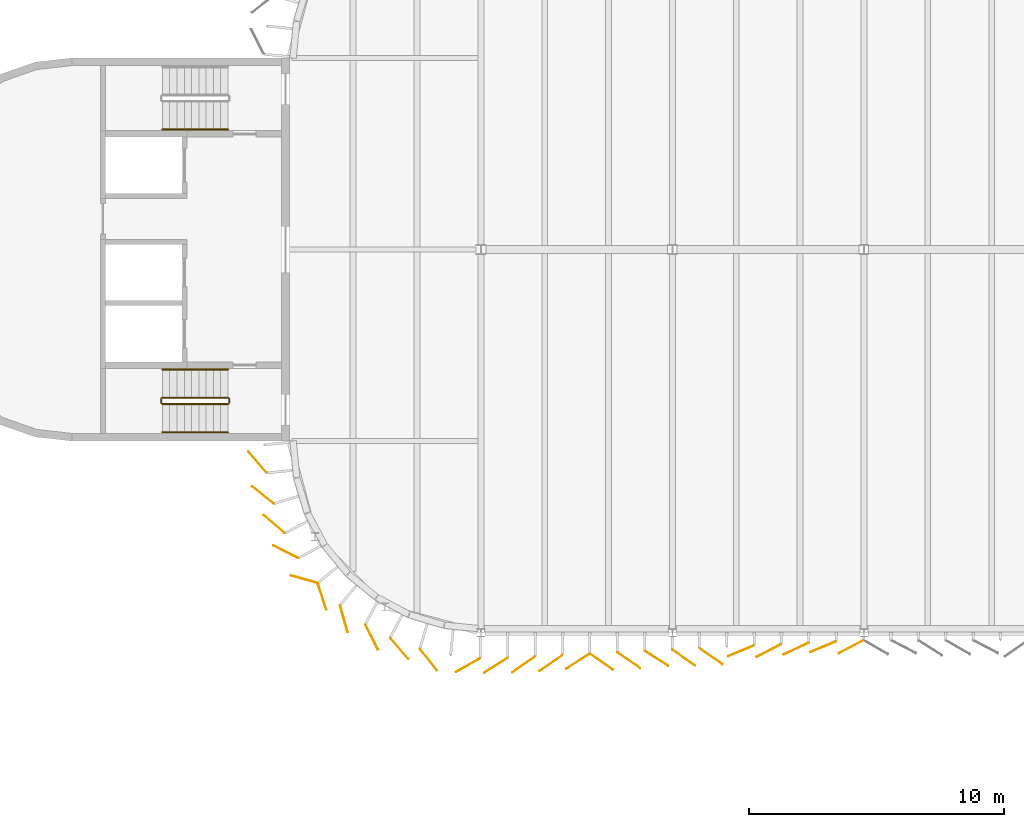
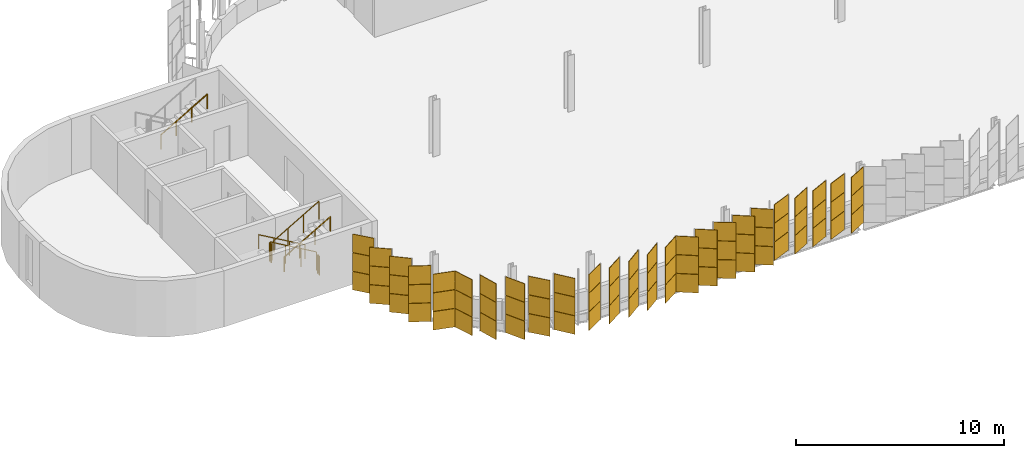
# One storey, part 181 of 199: 75 coverings, 7 railings.
"""IFC4 building model written with IfcOpenShell, lengths in metres."""

from ifc_helpers import new_model, si_unit, direction, frame, origin, origin_2d, place, context, subcontext, project, spatial, rectangle, circle, extrude, material, layer, layer_set, type_object, element, save


model = new_model("IFC4")

# Units and contexts
model_context = context("Model", 3, precision=1e-05, world=origin(), true_north=direction((0.0, 1.0)))
body_context = subcontext(model_context, "Body", "Model", "MODEL_VIEW")
ifc_project = project(units=[si_unit("LENGTHUNIT", "METRE"), si_unit("AREAUNIT", "SQUARE_METRE"), si_unit("VOLUMEUNIT", "CUBIC_METRE"), si_unit("PLANEANGLEUNIT", "RADIAN"), si_unit("MASSUNIT", "GRAM", prefix="KILO")], contexts=[model_context])

# Site, building, storey
site_placement = place(None, origin())
site = spatial("IfcSite", under=ifc_project, at=site_placement, CompositionType="ELEMENT")
building_placement = place(site_placement, origin())
building = spatial("IfcBuilding", under=site, at=building_placement, Name="Parallax Yard Mobility Hub", CompositionType="ELEMENT")
storey_placement = place(building_placement, frame((0.0, 0.0, 9.89990234375)))
storey = spatial("IfcBuildingStorey", under=building, at=storey_placement, Name="L03", CompositionType="ELEMENT", Elevation=9.89990234375)

# Coverings
ifc_material_1 = material(Name="Aluminium panel, champagne finish", Category="aluminium")
ifc_layer_1 = layer(ifc_material_1, 0.030029296875)
ifc_layer_set_1 = layer_set([ifc_layer_1], Name="Skin panel 22.5 degree turn, champagne finish")
covering_type_1 = type_object("IfcCoveringType", Name="Skin panel 22.5 degree turn, champagne finish", PredefinedType="CLADDING", material=ifc_layer_set_1)
for number, where, z_axis, x_axis, name in (
    (1, (40.186279296875, 111.785400390625, 0.02001953125), (0.0, 0.0, 1.0), (-0.923879532511, -0.382683432365, 0.0), "Skin panel 22.5 bay 2.3 row 1 level L03"),
    (2, (43.40087890625, 111.946044921875, 0.02001953125), (0.0, 0.0, 1.0), (-0.923879532511, -0.382683432365, 0.0), "Skin panel 22.5 bay 2.6 row 1 level L03"),
):
    element("IfcCovering", number, at=place(storey_placement, frame(where, z_axis=z_axis, x_axis=x_axis)), inside=storey, type_object=covering_type_1, Name=name, ObjectType="SCREEN", PredefinedType="CLADDING", context=body_context, shape_type="SweptSolid", body=[
        extrude(rectangle(XDim=1.080078125, YDim=0.030029296875, at=origin_2d()), origin(), (0.0, 0.0, 1.0), 1.080078125),
    ])
ifc_material_2 = material(Name="Aluminium panel, silver anodised", Category="aluminium")
ifc_layer_2 = layer(ifc_material_2, 0.030029296875)
ifc_layer_set_2 = layer_set([ifc_layer_2], Name="Skin panel 22.5 degree turn, silver anodised")
covering_type_2 = type_object("IfcCoveringType", Name="Skin panel 22.5 degree turn, silver anodised", PredefinedType="CLADDING", material=ifc_layer_set_2)
for number, where, z_axis, x_axis, name in (
    (3, (40.186279296875, 111.785400390625, 1.1201171875), (0.0, 0.0, 1.0), (-0.923879532511, -0.382683432365, 0.0), "Skin panel 22.5 bay 2.3 row 2 level L03"),
    (4, (40.186279296875, 111.785400390625, 2.219970703125), (0.0, 0.0, 1.0), (-0.923879532511, -0.382683432365, 0.0), "Skin panel 22.5 bay 2.3 row 3 level L03"),
    (5, (43.40087890625, 111.946044921875, 1.1201171875), (0.0, 0.0, 1.0), (-0.923879532511, -0.382683432365, 0.0), "Skin panel 22.5 bay 2.6 row 2 level L03"),
    (6, (43.40087890625, 111.946044921875, 2.219970703125), (0.0, 0.0, 1.0), (-0.923879532511, -0.382683432365, 0.0), "Skin panel 22.5 bay 2.6 row 3 level L03"),
):
    element("IfcCovering", number, at=place(storey_placement, frame(where, z_axis=z_axis, x_axis=x_axis)), inside=storey, type_object=covering_type_2, Name=name, ObjectType="SCREEN", PredefinedType="CLADDING", context=body_context, shape_type="SweptSolid", body=[
        extrude(rectangle(XDim=1.080078125, YDim=0.030029296875, at=origin_2d()), origin(), (0.0, 0.0, 1.0), 1.080078125),
    ])
ifc_layer_3 = layer(ifc_material_1, 0.030029296875)
ifc_layer_set_3 = layer_set([ifc_layer_3], Name="Skin panel 25 degree turn, champagne finish")
covering_type_3 = type_object("IfcCoveringType", Name="Skin panel 25 degree turn, champagne finish", PredefinedType="CLADDING", material=ifc_layer_set_3)
covering_placement = place(storey_placement, frame((42.339111328125, 111.8701171875, 0.02001953125), z_axis=(0.0, 0.0, 1.0), x_axis=(-0.906307787037, -0.422618261741, 0.0)))
element("IfcCovering", 7, at=covering_placement, inside=storey, type_object=covering_type_3, Name="Skin panel 25 bay 2.5 row 1 level L03", ObjectType="SCREEN", PredefinedType="CLADDING", context=body_context, shape_type="SweptSolid", body=[
    extrude(rectangle(XDim=1.080078125, YDim=0.030029296875, at=origin_2d()), origin(), (0.0, 0.0, 1.0), 1.080078125),
])
ifc_layer_4 = layer(ifc_material_2, 0.030029296875)
ifc_layer_set_4 = layer_set([ifc_layer_4], Name="Skin panel 25 degree turn, silver anodised")
covering_type_4 = type_object("IfcCoveringType", Name="Skin panel 25 degree turn, silver anodised", PredefinedType="CLADDING", material=ifc_layer_set_4)
for number, where, z_axis, x_axis, name in (
    (8, (42.339111328125, 111.8701171875, 1.1201171875), (0.0, 0.0, 1.0), (-0.906307787037, -0.422618261741, 0.0), "Skin panel 25 bay 2.5 row 2 level L03"),
    (9, (42.339111328125, 111.8701171875, 2.219970703125), (0.0, 0.0, 1.0), (-0.906307787037, -0.422618261741, 0.0), "Skin panel 25 bay 2.5 row 3 level L03"),
):
    element("IfcCovering", number, at=place(storey_placement, frame(where, z_axis=z_axis, x_axis=x_axis)), inside=storey, type_object=covering_type_4, Name=name, ObjectType="SCREEN", PredefinedType="CLADDING", context=body_context, shape_type="SweptSolid", body=[
        extrude(rectangle(XDim=1.080078125, YDim=0.030029296875, at=origin_2d()), origin(), (0.0, 0.0, 1.0), 1.080078125),
    ])
ifc_layer_5 = layer(ifc_material_1, 0.030029296875)
ifc_layer_set_5 = layer_set([ifc_layer_5], Name="Skin panel 27.5 degree turn, champagne finish")
covering_type_5 = type_object("IfcCoveringType", Name="Skin panel 27.5 degree turn, champagne finish", PredefinedType="CLADDING", material=ifc_layer_set_5)
for number, where, z_axis, x_axis, name in (
    (10, (41.2783203125, 111.794921875, 0.02001953125), (0.0, 0.0, 1.0), (-0.887010833178, -0.461748613235, 0.0), "Skin panel 27.5 bay 2.4 row 1 level L03"),
    (11, (44.492919921875, 111.943115234375, 0.02001953125), (0.0, 0.0, 1.0), (-0.887010833178, -0.461748613235, 0.0), "Skin panel 27.5 bay 2.7 row 1 level L03"),
):
    element("IfcCovering", number, at=place(storey_placement, frame(where, z_axis=z_axis, x_axis=x_axis)), inside=storey, type_object=covering_type_5, Name=name, ObjectType="SCREEN", PredefinedType="CLADDING", context=body_context, shape_type="SweptSolid", body=[
        extrude(rectangle(XDim=1.080078125, YDim=0.030029296875, at=origin_2d()), origin(), (0.0, 0.0, 1.0), 1.080078125),
    ])
ifc_layer_6 = layer(ifc_material_2, 0.030029296875)
ifc_layer_set_6 = layer_set([ifc_layer_6], Name="Skin panel 27.5 degree turn, silver anodised")
covering_type_6 = type_object("IfcCoveringType", Name="Skin panel 27.5 degree turn, silver anodised", PredefinedType="CLADDING", material=ifc_layer_set_6)
for number, where, z_axis, x_axis, name in (
    (12, (41.2783203125, 111.794921875, 1.1201171875), (0.0, 0.0, 1.0), (-0.887010833178, -0.461748613235, 0.0), "Skin panel 27.5 bay 2.4 row 2 level L03"),
    (13, (41.2783203125, 111.794921875, 2.219970703125), (0.0, 0.0, 1.0), (-0.887010833178, -0.461748613235, 0.0), "Skin panel 27.5 bay 2.4 row 3 level L03"),
    (14, (44.492919921875, 111.943115234375, 1.1201171875), (0.0, 0.0, 1.0), (-0.887010833178, -0.461748613235, 0.0), "Skin panel 27.5 bay 2.7 row 2 level L03"),
    (15, (44.492919921875, 111.943115234375, 2.219970703125), (0.0, 0.0, 1.0), (-0.887010833178, -0.461748613235, 0.0), "Skin panel 27.5 bay 2.7 row 3 level L03"),
):
    element("IfcCovering", number, at=place(storey_placement, frame(where, z_axis=z_axis, x_axis=x_axis)), inside=storey, type_object=covering_type_6, Name=name, ObjectType="SCREEN", PredefinedType="CLADDING", context=body_context, shape_type="SweptSolid", body=[
        extrude(rectangle(XDim=1.080078125, YDim=0.030029296875, at=origin_2d()), origin(), (0.0, 0.0, 1.0), 1.080078125),
    ])
ifc_layer_7 = layer(ifc_material_1, 0.030029296875)
ifc_layer_set_7 = layer_set([ifc_layer_7], Name="Skin panel 32.5 degree turn, champagne finish")
covering_type_7 = type_object("IfcCoveringType", Name="Skin panel 32.5 degree turn, champagne finish", PredefinedType="CLADDING", material=ifc_layer_set_7)
for number, where, z_axis, x_axis, name in (
    (16, (21.909423828125, 116.753662109375, 0.02001953125), (0.0, 0.0, 1.0), (-0.758987281247, 0.651105449912, 0.0), "Skin panel 32.5 bay 72.3 row 1 level L03"),
    (17, (23.7861328125, 113.912109375, 0.02001953125), (0.0, 0.0, 1.0), (0.311091140771, -0.950380082985, 0.0), "Skin panel 32.5 bay 72.6 row 1 level L03"),
    (18, (26.811279296875, 111.878662109375, 0.02001953125), (0.0, 0.0, 1.0), (0.651105449912, -0.758987281247, 0.0), "Skin panel 32.5 bay 72.9 row 1 level L03"),
    (19, (30.58740234375, 111.217041015625, 0.02001953125), (0.0, 0.0, 1.0), (-0.843391445813, -0.537299608347, 0.0), "Skin panel 32.5 bay 1.1 row 1 level L03"),
    (20, (33.802001953125, 111.3779296875, 0.02001953125), (0.0, 0.0, 1.0), (-0.843391445813, -0.537299608347, 0.0), "Skin panel 32.5 bay 1.4 row 1 level L03"),
    (21, (36.883544921875, 111.485107421875, 0.02001953125), (0.0, 0.0, 1.0), (0.843391445813, -0.537299608347, 0.0), "Skin panel 32.5 bay 1.7 row 1 level L03"),
):
    element("IfcCovering", number, at=place(storey_placement, frame(where, z_axis=z_axis, x_axis=x_axis)), inside=storey, type_object=covering_type_7, Name=name, ObjectType="SCREEN", PredefinedType="CLADDING", context=body_context, shape_type="SweptSolid", body=[
        extrude(rectangle(XDim=1.080078125, YDim=0.030029296875, at=origin_2d()), origin(), (0.0, 0.0, 1.0), 1.080078125),
    ])
ifc_layer_8 = layer(ifc_material_2, 0.030029296875)
ifc_layer_set_8 = layer_set([ifc_layer_8], Name="Skin panel 32.5 degree turn, silver anodised")
covering_type_8 = type_object("IfcCoveringType", Name="Skin panel 32.5 degree turn, silver anodised", PredefinedType="CLADDING", material=ifc_layer_set_8)
for number, where, z_axis, x_axis, name in (
    (22, (21.909423828125, 116.753662109375, 1.1201171875), (0.0, 0.0, 1.0), (-0.758987281247, 0.651105449912, 0.0), "Skin panel 32.5 bay 72.3 row 2 level L03"),
    (23, (21.909423828125, 116.753662109375, 2.219970703125), (0.0, 0.0, 1.0), (-0.758987281247, 0.651105449912, 0.0), "Skin panel 32.5 bay 72.3 row 3 level L03"),
    (24, (23.7861328125, 113.912109375, 1.1201171875), (0.0, 0.0, 1.0), (0.311091140771, -0.950380082985, 0.0), "Skin panel 32.5 bay 72.6 row 2 level L03"),
    (25, (23.7861328125, 113.912109375, 2.219970703125), (0.0, 0.0, 1.0), (0.311091140771, -0.950380082985, 0.0), "Skin panel 32.5 bay 72.6 row 3 level L03"),
    (26, (26.811279296875, 111.878662109375, 1.1201171875), (0.0, 0.0, 1.0), (0.651105449912, -0.758987281247, 0.0), "Skin panel 32.5 bay 72.9 row 2 level L03"),
    (27, (26.811279296875, 111.878662109375, 2.219970703125), (0.0, 0.0, 1.0), (0.651105449912, -0.758987281247, 0.0), "Skin panel 32.5 bay 72.9 row 3 level L03"),
    (28, (30.58740234375, 111.217041015625, 1.1201171875), (0.0, 0.0, 1.0), (-0.843391445813, -0.537299608347, 0.0), "Skin panel 32.5 bay 1.1 row 2 level L03"),
    (29, (30.58740234375, 111.217041015625, 2.219970703125), (0.0, 0.0, 1.0), (-0.843391445813, -0.537299608347, 0.0), "Skin panel 32.5 bay 1.1 row 3 level L03"),
    (30, (33.802001953125, 111.3779296875, 1.1201171875), (0.0, 0.0, 1.0), (-0.843391445813, -0.537299608347, 0.0), "Skin panel 32.5 bay 1.4 row 2 level L03"),
    (31, (33.802001953125, 111.3779296875, 2.219970703125), (0.0, 0.0, 1.0), (-0.843391445813, -0.537299608347, 0.0), "Skin panel 32.5 bay 1.4 row 3 level L03"),
    (32, (36.883544921875, 111.485107421875, 1.1201171875), (0.0, 0.0, 1.0), (0.843391445813, -0.537299608347, 0.0), "Skin panel 32.5 bay 1.7 row 2 level L03"),
    (33, (36.883544921875, 111.485107421875, 2.219970703125), (0.0, 0.0, 1.0), (0.843391445813, -0.537299608347, 0.0), "Skin panel 32.5 bay 1.7 row 3 level L03"),
):
    element("IfcCovering", number, at=place(storey_placement, frame(where, z_axis=z_axis, x_axis=x_axis)), inside=storey, type_object=covering_type_8, Name=name, ObjectType="SCREEN", PredefinedType="CLADDING", context=body_context, shape_type="SweptSolid", body=[
        extrude(rectangle(XDim=1.080078125, YDim=0.030029296875, at=origin_2d()), origin(), (0.0, 0.0, 1.0), 1.080078125),
    ])
ifc_layer_9 = layer(ifc_material_1, 0.030029296875)
ifc_layer_set_9 = layer_set([ifc_layer_9], Name="Skin panel 35 degree turn, champagne finish")
covering_type_9 = type_object("IfcCoveringType", Name="Skin panel 35 degree turn, champagne finish", PredefinedType="CLADDING", material=ifc_layer_set_9)
for number, where, z_axis, x_axis, name in (
    (34, (21.255615234375, 119.175537109375, 0.02001953125), (0.0, 0.0, 1.0), (-0.651105449912, 0.758987281247, 0.0), "Skin panel 35 bay 72.1 row 1 level L03"),
    (35, (21.4609375, 117.892822265625, 0.02001953125), (0.0, 0.0, 1.0), (-0.786665714369, 0.617379181571, 0.0), "Skin panel 35 bay 72.2 row 1 level L03"),
    (36, (22.355712890625, 115.669677734375, 0.02001953125), (0.0, 0.0, 1.0), (-0.891994856589, 0.452045546177, 0.0), "Skin panel 35 bay 72.4 row 1 level L03"),
    (37, (23.077392578125, 114.590576171875, 0.02001953125), (0.0, 0.0, 1.0), (-0.963045136708, 0.269340053953, 0.0), "Skin panel 35 bay 72.5 row 1 level L03"),
    (38, (24.64111328125, 113.035888671875, 0.02001953125), (0.0, 0.0, 1.0), (0.269340053953, -0.963045136708, 0.0), "Skin panel 35 bay 72.7 row 1 level L03"),
    (39, (25.727294921875, 112.324951171875, 0.02001953125), (0.0, 0.0, 1.0), (0.452045546177, -0.891994856589, 0.0), "Skin panel 35 bay 72.8 row 1 level L03"),
    (40, (27.955322265625, 111.44189453125, 0.02001953125), (0.0, 0.0, 1.0), (0.617379181571, -0.786665714369, 0.0), "Skin panel 35 bay 72.10 row 1 level L03"),
    (41, (29.50048828125, 111.22705078125, 0.02001953125), (0.0, 0.0, 1.0), (-0.87142792535, -0.490523568159, 0.0), "Skin panel 35 bay 72.11 row 1 level L03"),
    (42, (31.672607421875, 111.25048828125, 0.02001953125), (0.0, 0.0, 1.0), (-0.819152044289, -0.573576436351, 0.0), "Skin panel 35 bay 1.2 row 1 level L03"),
    (43, (32.743896484375, 111.30419921875, 0.02001953125), (0.0, 0.0, 1.0), (-0.819152044289, -0.573576436351, 0.0), "Skin panel 35 bay 1.3 row 1 level L03"),
    (44, (34.72705078125, 111.357666015625, 0.02001953125), (0.0, 0.0, 1.0), (0.819152044289, -0.573576436351, 0.0), "Skin panel 35 bay 1.5 row 1 level L03"),
    (45, (35.798583984375, 111.4111328125, 0.02001953125), (0.0, 0.0, 1.0), (0.819152044289, -0.573576436351, 0.0), "Skin panel 35 bay 1.6 row 1 level L03"),
    (46, (37.94140625, 111.518310546875, 0.02001953125), (0.0, 0.0, 1.0), (0.819152044289, -0.573576436351, 0.0), "Skin panel 35 bay 2.1 row 1 level L03"),
    (47, (39.012939453125, 111.572021484375, 0.02001953125), (0.0, 0.0, 1.0), (0.819152044289, -0.573576436351, 0.0), "Skin panel 35 bay 2.2 row 1 level L03"),
):
    element("IfcCovering", number, at=place(storey_placement, frame(where, z_axis=z_axis, x_axis=x_axis)), inside=storey, type_object=covering_type_9, Name=name, ObjectType="SCREEN", PredefinedType="CLADDING", context=body_context, shape_type="SweptSolid", body=[
        extrude(rectangle(XDim=1.080078125, YDim=0.030029296875, at=origin_2d()), origin(), (0.0, 0.0, 1.0), 1.080078125),
    ])
ifc_layer_10 = layer(ifc_material_2, 0.030029296875)
ifc_layer_set_10 = layer_set([ifc_layer_10], Name="Skin panel 35 degree turn, silver anodised")
covering_type_10 = type_object("IfcCoveringType", Name="Skin panel 35 degree turn, silver anodised", PredefinedType="CLADDING", material=ifc_layer_set_10)
for number, where, z_axis, x_axis, name in (
    (48, (21.255615234375, 119.175537109375, 1.1201171875), (0.0, 0.0, 1.0), (-0.651105449912, 0.758987281247, 0.0), "Skin panel 35 bay 72.1 row 2 level L03"),
    (49, (21.255615234375, 119.175537109375, 2.219970703125), (0.0, 0.0, 1.0), (-0.651105449912, 0.758987281247, 0.0), "Skin panel 35 bay 72.1 row 3 level L03"),
    (50, (21.4609375, 117.892822265625, 1.1201171875), (0.0, 0.0, 1.0), (-0.786665714369, 0.617379181571, 0.0), "Skin panel 35 bay 72.2 row 2 level L03"),
    (51, (21.4609375, 117.892822265625, 2.219970703125), (0.0, 0.0, 1.0), (-0.786665714369, 0.617379181571, 0.0), "Skin panel 35 bay 72.2 row 3 level L03"),
    (52, (22.355712890625, 115.669677734375, 1.1201171875), (0.0, 0.0, 1.0), (-0.891994856589, 0.452045546177, 0.0), "Skin panel 35 bay 72.4 row 2 level L03"),
    (53, (22.355712890625, 115.669677734375, 2.219970703125), (0.0, 0.0, 1.0), (-0.891994856589, 0.452045546177, 0.0), "Skin panel 35 bay 72.4 row 3 level L03"),
    (54, (23.077392578125, 114.590576171875, 1.1201171875), (0.0, 0.0, 1.0), (-0.963045136708, 0.269340053953, 0.0), "Skin panel 35 bay 72.5 row 2 level L03"),
    (55, (23.077392578125, 114.590576171875, 2.219970703125), (0.0, 0.0, 1.0), (-0.963045136708, 0.269340053953, 0.0), "Skin panel 35 bay 72.5 row 3 level L03"),
    (56, (24.64111328125, 113.035888671875, 1.1201171875), (0.0, 0.0, 1.0), (0.269340053953, -0.963045136708, 0.0), "Skin panel 35 bay 72.7 row 2 level L03"),
    (57, (24.64111328125, 113.035888671875, 2.219970703125), (0.0, 0.0, 1.0), (0.269340053953, -0.963045136708, 0.0), "Skin panel 35 bay 72.7 row 3 level L03"),
    (58, (25.727294921875, 112.324951171875, 1.1201171875), (0.0, 0.0, 1.0), (0.452045546177, -0.891994856589, 0.0), "Skin panel 35 bay 72.8 row 2 level L03"),
    (59, (25.727294921875, 112.324951171875, 2.219970703125), (0.0, 0.0, 1.0), (0.452045546177, -0.891994856589, 0.0), "Skin panel 35 bay 72.8 row 3 level L03"),
    (60, (27.955322265625, 111.44189453125, 1.1201171875), (0.0, 0.0, 1.0), (0.617379181571, -0.786665714369, 0.0), "Skin panel 35 bay 72.10 row 2 level L03"),
    (61, (27.955322265625, 111.44189453125, 2.219970703125), (0.0, 0.0, 1.0), (0.617379181571, -0.786665714369, 0.0), "Skin panel 35 bay 72.10 row 3 level L03"),
    (62, (29.50048828125, 111.22705078125, 1.1201171875), (0.0, 0.0, 1.0), (-0.87142792535, -0.490523568159, 0.0), "Skin panel 35 bay 72.11 row 2 level L03"),
    (63, (29.50048828125, 111.22705078125, 2.219970703125), (0.0, 0.0, 1.0), (-0.87142792535, -0.490523568159, 0.0), "Skin panel 35 bay 72.11 row 3 level L03"),
    (64, (31.672607421875, 111.25048828125, 1.1201171875), (0.0, 0.0, 1.0), (-0.819152044289, -0.573576436351, 0.0), "Skin panel 35 bay 1.2 row 2 level L03"),
    (65, (31.672607421875, 111.25048828125, 2.219970703125), (0.0, 0.0, 1.0), (-0.819152044289, -0.573576436351, 0.0), "Skin panel 35 bay 1.2 row 3 level L03"),
    (66, (32.743896484375, 111.30419921875, 1.1201171875), (0.0, 0.0, 1.0), (-0.819152044289, -0.573576436351, 0.0), "Skin panel 35 bay 1.3 row 2 level L03"),
    (67, (32.743896484375, 111.30419921875, 2.219970703125), (0.0, 0.0, 1.0), (-0.819152044289, -0.573576436351, 0.0), "Skin panel 35 bay 1.3 row 3 level L03"),
    (68, (34.72705078125, 111.357666015625, 1.1201171875), (0.0, 0.0, 1.0), (0.819152044289, -0.573576436351, 0.0), "Skin panel 35 bay 1.5 row 2 level L03"),
    (69, (34.72705078125, 111.357666015625, 2.219970703125), (0.0, 0.0, 1.0), (0.819152044289, -0.573576436351, 0.0), "Skin panel 35 bay 1.5 row 3 level L03"),
    (70, (35.798583984375, 111.4111328125, 1.1201171875), (0.0, 0.0, 1.0), (0.819152044289, -0.573576436351, 0.0), "Skin panel 35 bay 1.6 row 2 level L03"),
    (71, (35.798583984375, 111.4111328125, 2.219970703125), (0.0, 0.0, 1.0), (0.819152044289, -0.573576436351, 0.0), "Skin panel 35 bay 1.6 row 3 level L03"),
    (72, (37.94140625, 111.518310546875, 1.1201171875), (0.0, 0.0, 1.0), (0.819152044289, -0.573576436351, 0.0), "Skin panel 35 bay 2.1 row 2 level L03"),
    (73, (37.94140625, 111.518310546875, 2.219970703125), (0.0, 0.0, 1.0), (0.819152044289, -0.573576436351, 0.0), "Skin panel 35 bay 2.1 row 3 level L03"),
    (74, (39.012939453125, 111.572021484375, 1.1201171875), (0.0, 0.0, 1.0), (0.819152044289, -0.573576436351, 0.0), "Skin panel 35 bay 2.2 row 2 level L03"),
    (75, (39.012939453125, 111.572021484375, 2.219970703125), (0.0, 0.0, 1.0), (0.819152044289, -0.573576436351, 0.0), "Skin panel 35 bay 2.2 row 3 level L03"),
):
    element("IfcCovering", number, at=place(storey_placement, frame(where, z_axis=z_axis, x_axis=x_axis)), inside=storey, type_object=covering_type_10, Name=name, ObjectType="SCREEN", PredefinedType="CLADDING", context=body_context, shape_type="SweptSolid", body=[
        extrude(rectangle(XDim=1.080078125, YDim=0.030029296875, at=origin_2d()), origin(), (0.0, 0.0, 1.0), 1.080078125),
    ])

# Railings
ifc_material_3 = material(Name="Steel ASTM A36", Category="steel")
railing_type_1 = type_object("IfcRailingType", Name="Stair guard 1100", PredefinedType="GUARDRAIL", material=ifc_material_3)
railing_1_placement = place(storey_placement, frame((20.10009765625, 121.699951171875, 0.1650390625)))
element("IfcRailing", 76, at=railing_1_placement, inside=storey, type_object=railing_type_1, Name="L03 ST1 stair guard 1", PredefinedType="GUARDRAIL", context=body_context, shape_type="SweptSolid", body=[
    extrude(circle(Radius=0.02392578125, at=origin_2d()), frame((0.0, 0.0, 1.076171875), z_axis=(-0.865426285481, 0.0, 0.501036270542), x_axis=(0.0, -1.0, 0.0)), (0.0, 0.0, 1.0), 2.964111328125),
    extrude(circle(Radius=0.02099609375, at=origin_2d()), origin(), (0.0, 0.0, 1.0), 1.052001953125),
    extrude(circle(Radius=0.02099609375, at=origin_2d()), frame((-0.85498046875, 0.0, 0.4951171875)), (0.0, 0.0, 1.0), 1.052001953125),
    extrude(circle(Radius=0.02099609375, at=origin_2d()), frame((-1.710205078125, 0.0, 0.989990234375)), (0.0, 0.0, 1.0), 1.052001953125),
    extrude(circle(Radius=0.02099609375, at=origin_2d()), frame((-2.565185546875, 0.0, 1.485107421875)), (0.0, 0.0, 1.0), 1.052001953125),
])
railing_2_placement = place(storey_placement, frame((17.485107421875, 121.64990234375, 1.650146484375)))
element("IfcRailing", 77, at=railing_2_placement, inside=storey, type_object=railing_type_1, Name="L03 ST1 stair guard 2", PredefinedType="GUARDRAIL", context=body_context, shape_type="SweptSolid", body=[
    extrude(circle(Radius=0.02392578125, at=origin_2d()), frame((0.0, 0.0, 1.076171875), z_axis=(0.0, -1.0, 0.0), x_axis=(1.0, 0.0, 0.0)), (0.0, 0.0, 1.0), 0.14990234375),
    extrude(circle(Radius=0.02099609375, at=origin_2d()), origin(), (0.0, 0.0, 1.0), 1.052001953125),
    extrude(circle(Radius=0.02099609375, at=origin_2d()), frame((0.0, -0.14990234375, 0.0)), (0.0, 0.0, 1.0), 1.052001953125),
])
railing_3_placement = place(storey_placement, frame((17.534912109375, 121.449951171875, 1.815185546875)))
element("IfcRailing", 78, at=railing_3_placement, inside=storey, type_object=railing_type_1, Name="L03 ST1 stair guard 3", PredefinedType="GUARDRAIL", context=body_context, shape_type="SweptSolid", body=[
    extrude(circle(Radius=0.02392578125, at=origin_2d()), frame((0.0, 0.0, 1.076171875), z_axis=(0.865461999751, 0.0, 0.500974577186), x_axis=(0.0, 1.0, 0.0)), (0.0, 0.0, 1.0), 2.9638671875),
    extrude(circle(Radius=0.02099609375, at=origin_2d()), origin(), (0.0, 0.0, 1.0), 1.052001953125),
    extrude(circle(Radius=0.02099609375, at=origin_2d()), frame((0.85498046875, 0.0, 0.494873046875)), (0.0, 0.0, 1.0), 1.052001953125),
    extrude(circle(Radius=0.02099609375, at=origin_2d()), frame((1.710205078125, 0.0, 0.989990234375)), (0.0, 0.0, 1.0), 1.052001953125),
    extrude(circle(Radius=0.02099609375, at=origin_2d()), frame((2.565185546875, 0.0, 1.48486328125)), (0.0, 0.0, 1.0), 1.052001953125),
])
railing_4_placement = place(storey_placement, frame((20.14990234375, 121.64990234375, 0.0)))
element("IfcRailing", 79, at=railing_4_placement, inside=storey, type_object=railing_type_1, Name="L03 ST1 stair guard 4", PredefinedType="GUARDRAIL", context=body_context, shape_type="SweptSolid", body=[
    extrude(circle(Radius=0.02392578125, at=origin_2d()), frame((0.0, 0.0, 1.076171875), z_axis=(0.0, -1.0, 0.0), x_axis=(1.0, 0.0, 0.0)), (0.0, 0.0, 1.0), 0.14990234375),
    extrude(circle(Radius=0.02099609375, at=origin_2d()), origin(), (0.0, 0.0, 1.0), 1.052001953125),
    extrude(circle(Radius=0.02099609375, at=origin_2d()), frame((0.0, -0.14990234375, 0.0)), (0.0, 0.0, 1.0), 1.052001953125),
])
railing_type_2 = type_object("IfcRailingType", Name="Stair handrail", PredefinedType="HANDRAIL", material=ifc_material_3)
railing_5_placement = place(storey_placement, frame((20.10009765625, 122.800048828125, 0.1650390625)))
element("IfcRailing", 80, at=railing_5_placement, inside=storey, type_object=railing_type_2, Name="L03 ST1 stair handrail 1", PredefinedType="HANDRAIL", context=body_context, shape_type="SweptSolid", body=[
    extrude(circle(Radius=0.02392578125, at=origin_2d()), frame((0.0, 0.0, 0.8310546875), z_axis=(-0.865426285481, 0.0, 0.501036270542), x_axis=(0.0, -1.0, 0.0)), (0.0, 0.0, 1.0), 2.964111328125),
    extrude(circle(Radius=0.02099609375, at=origin_2d()), origin(), (0.0, 0.0, 1.0), 0.806884765625),
    extrude(circle(Radius=0.02099609375, at=origin_2d()), frame((-0.85498046875, 0.0, 0.4951171875)), (0.0, 0.0, 1.0), 0.806884765625),
    extrude(circle(Radius=0.02099609375, at=origin_2d()), frame((-1.710205078125, 0.0, 0.989990234375)), (0.0, 0.0, 1.0), 0.806884765625),
    extrude(circle(Radius=0.02099609375, at=origin_2d()), frame((-2.565185546875, 0.0, 1.485107421875)), (0.0, 0.0, 1.0), 0.806884765625),
])
for number, where, name in (
    (81, (17.534912109375, 120.35009765625, 1.815185546875), "L03 ST1 stair handrail 2"),
    (82, (17.534912109375, 132.199951171875, 1.815185546875), "L03 ST2 stair handrail 2"),
):
    element("IfcRailing", number, at=place(storey_placement, frame(where)), inside=storey, type_object=railing_type_2, Name=name, PredefinedType="HANDRAIL", context=body_context, shape_type="SweptSolid", body=[
        extrude(circle(Radius=0.02392578125, at=origin_2d()), frame((0.0, 0.0, 0.8310546875), z_axis=(0.865461999751, 0.0, 0.500974577186), x_axis=(0.0, 1.0, 0.0)), (0.0, 0.0, 1.0), 2.9638671875),
        extrude(circle(Radius=0.02099609375, at=origin_2d()), origin(), (0.0, 0.0, 1.0), 0.806884765625),
        extrude(circle(Radius=0.02099609375, at=origin_2d()), frame((0.85498046875, 0.0, 0.494873046875)), (0.0, 0.0, 1.0), 0.806884765625),
        extrude(circle(Radius=0.02099609375, at=origin_2d()), frame((1.710205078125, 0.0, 0.989990234375)), (0.0, 0.0, 1.0), 0.806884765625),
        extrude(circle(Radius=0.02099609375, at=origin_2d()), frame((2.565185546875, 0.0, 1.48486328125)), (0.0, 0.0, 1.0), 0.806884765625),
    ])

save(model, "model.ifc")
